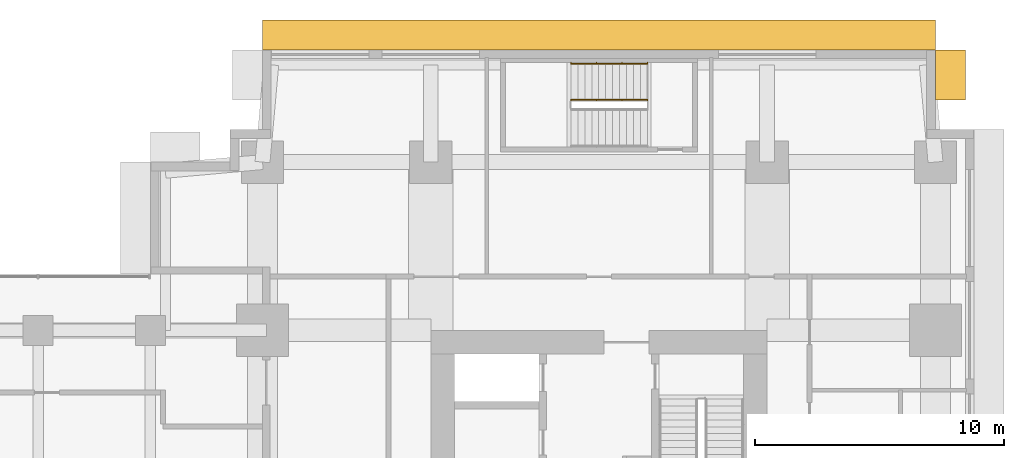
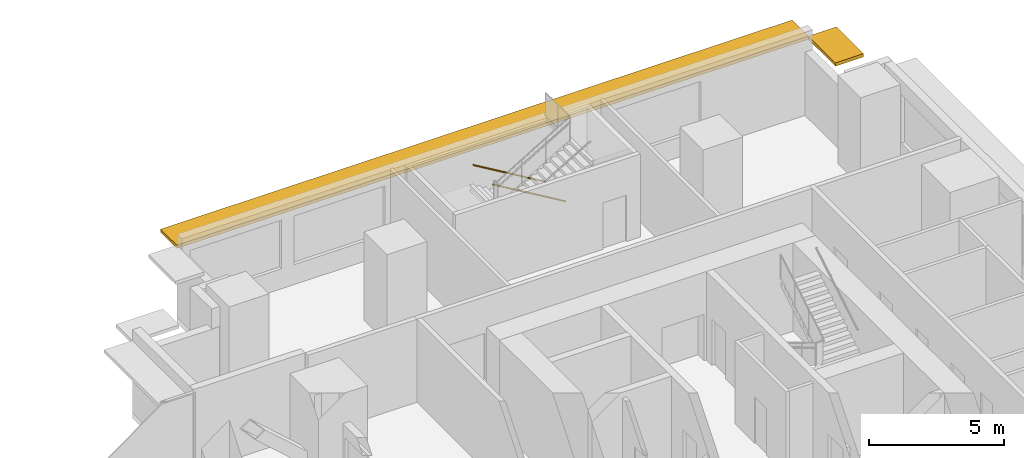
# One storey, part 16 of 16: 2 railings, 2 shading devices.
"""IFC4 building model written with IfcOpenShell, lengths in metres."""

from ifc_helpers import new_model, si_unit, direction, frame, origin, origin_2d, place, context, subcontext, project, spatial, rectangle, circle, extrude, material, layer, layer_set, type_object, element, save


model = new_model("IFC4")

# Units and contexts
model_context = context("Model", 3, precision=1e-05, world=origin(), true_north=direction((0.0, 1.0)))
body_context = subcontext(model_context, "Body", "Model", "MODEL_VIEW")
ifc_project = project(units=[si_unit("LENGTHUNIT", "METRE"), si_unit("AREAUNIT", "SQUARE_METRE"), si_unit("VOLUMEUNIT", "CUBIC_METRE"), si_unit("PLANEANGLEUNIT", "RADIAN"), si_unit("MASSUNIT", "GRAM", prefix="KILO")], contexts=[model_context])

# Site, building, storey
site_placement = place(None, origin())
site = spatial("IfcSite", under=ifc_project, at=site_placement, CompositionType="ELEMENT")
building_placement = place(site_placement, origin())
building = spatial("IfcBuilding", under=site, at=building_placement, Name="Namib Vertical Campus", CompositionType="ELEMENT")
storey_placement = place(building_placement, frame((0.0, 0.0, 129.0)))
storey = spatial("IfcBuildingStorey", under=building, at=storey_placement, Name="L30", CompositionType="ELEMENT", Elevation=129.0)

# Railings
ifc_material_1 = material(Name="Steel handrail", Category="steel")
railing_type = type_object("IfcRailingType", Name="Handrail 900", PredefinedType="HANDRAIL", material=ifc_material_1)
railing_1_placement = place(storey_placement, frame((82.949951171875, 39.949951171875, 0.166748046875)))
element("IfcRailing", 1, at=railing_1_placement, inside=storey, type_object=railing_type, Name="Handrail HR1 B-S3 L30 1", PredefinedType="HANDRAIL", context=body_context, shape_type="SweptSolid", body=[
    extrude(circle(Radius=0.02392578125, at=origin_2d()), frame((0.0, 0.0, 0.8759765625), z_axis=(-0.859290745958, 0.0, 0.51148745235), x_axis=(0.0, -1.0, 0.0)), (0.0, 0.0, 1.0), 3.584228515625),
    extrude(circle(Radius=0.008056640625, at=origin_2d()), frame((0.0, 0.0, 0.8759765625), z_axis=(0.0, 1.0, 0.0), x_axis=(0.0, 0.0, 1.0)), (0.0, 0.0, 1.0), 0.050048828125),
    extrude(circle(Radius=0.008056640625, at=origin_2d()), frame((-1.026611328125, 0.0, 1.48681640625), z_axis=(0.0, 1.0, 0.0), x_axis=(0.0, 0.0, 1.0)), (0.0, 0.0, 1.0), 0.050048828125),
    extrude(circle(Radius=0.008056640625, at=origin_2d()), frame((-2.05322265625, 0.0, 2.09814453125), z_axis=(0.0, 1.0, 0.0), x_axis=(0.0, 0.0, 1.0)), (0.0, 0.0, 1.0), 0.050048828125),
    extrude(circle(Radius=0.008056640625, at=origin_2d()), frame((-3.079833984375, 0.0, 2.708984375), z_axis=(0.0, 1.0, 0.0), x_axis=(0.0, 0.0, 1.0)), (0.0, 0.0, 1.0), 0.050048828125),
])
railing_2_placement = place(storey_placement, frame((82.949951171875, 38.5, 0.166748046875)))
element("IfcRailing", 2, at=railing_2_placement, inside=storey, type_object=railing_type, Name="Handrail HR1 B-S3 L30 1 at the well", PredefinedType="HANDRAIL", context=body_context, shape_type="SweptSolid", body=[
    extrude(circle(Radius=0.02392578125, at=origin_2d()), frame((0.0, 0.0, 0.8759765625), z_axis=(-0.859290745958, 0.0, 0.51148745235), x_axis=(0.0, -1.0, 0.0)), (0.0, 0.0, 1.0), 3.584228515625),
    extrude(circle(Radius=0.008056640625, at=origin_2d()), frame((0.0, 0.0, 0.8759765625), z_axis=(0.0, -1.0, 0.0), x_axis=(0.0, 0.0, 1.0)), (0.0, 0.0, 1.0), 0.0400390625),
    extrude(circle(Radius=0.008056640625, at=origin_2d()), frame((-1.026611328125, 0.0, 1.48681640625), z_axis=(0.0, -1.0, 0.0), x_axis=(0.0, 0.0, 1.0)), (0.0, 0.0, 1.0), 0.0400390625),
    extrude(circle(Radius=0.008056640625, at=origin_2d()), frame((-2.05322265625, 0.0, 2.09814453125), z_axis=(0.0, -1.0, 0.0), x_axis=(0.0, 0.0, 1.0)), (0.0, 0.0, 1.0), 0.0400390625),
    extrude(circle(Radius=0.008056640625, at=origin_2d()), frame((-3.079833984375, 0.0, 2.708984375), z_axis=(0.0, -1.0, 0.0), x_axis=(0.0, 0.0, 1.0)), (0.0, 0.0, 1.0), 0.0400390625),
])

# Shading devices
ifc_material_2 = material(Name="Concrete C40/50 precast", Category="concrete")
ifc_layer = layer(ifc_material_2, 0.14990234375)
ifc_layer_set = layer_set([ifc_layer], Name="Concrete C40/50 precast")
shading_device_type = type_object("IfcShadingDeviceType", Name="Sunshade hood 1200", PredefinedType="SHUTTER", material=ifc_layer_set)
shading_device_1_placement = place(storey_placement, frame((95.10009765625, 39.5, 3.10009765625), z_axis=(0.0, 0.0, 1.0), x_axis=(0.0, 1.0, 0.0)))
element("IfcShadingDevice", 3, at=shading_device_1_placement, inside=storey, type_object=shading_device_type, Name="Sunshade SH2 L30 7", PredefinedType="SHUTTER", context=body_context, shape_type="SweptSolid", body=[
    extrude(rectangle(XDim=2.0, YDim=1.199951171875, at=origin_2d()), origin(), (0.0, 0.0, 1.0), 0.14990234375),
])
shading_device_2_placement = place(storey_placement, frame((81.0, 41.10009765625, 3.10009765625), z_axis=(0.0, 0.0, 1.0), x_axis=(-1.0, 0.0, 0.0)))
element("IfcShadingDevice", 4, at=shading_device_2_placement, inside=storey, type_object=shading_device_type, Name="Sunshade SH2 L30 8", PredefinedType="SHUTTER", context=body_context, shape_type="SweptSolid", body=[
    extrude(rectangle(XDim=27.0, YDim=1.199951171875, at=origin_2d()), origin(), (0.0, 0.0, 1.0), 0.14990234375),
])

save(model, "model.ifc")
